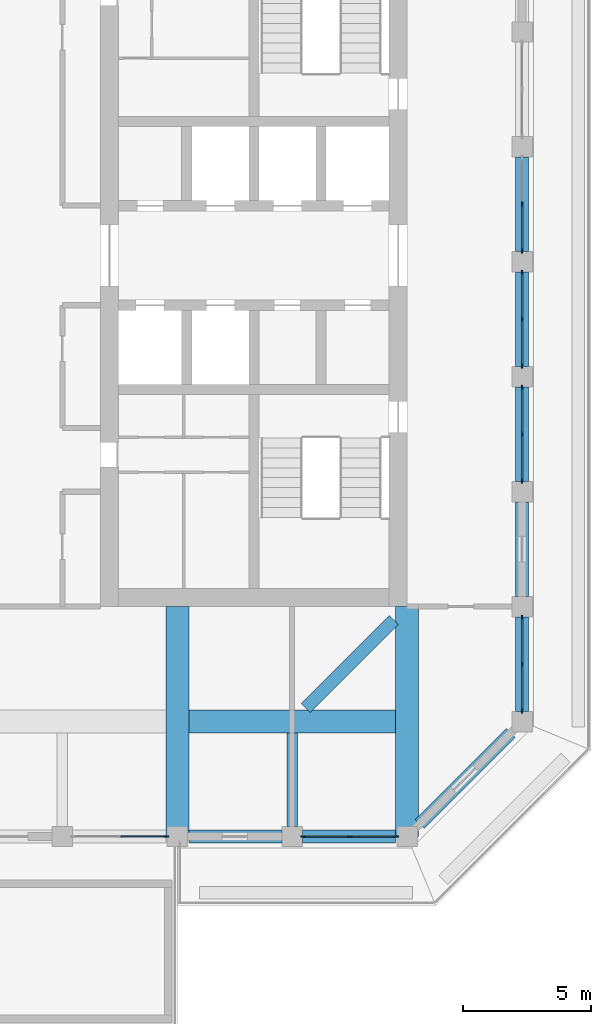
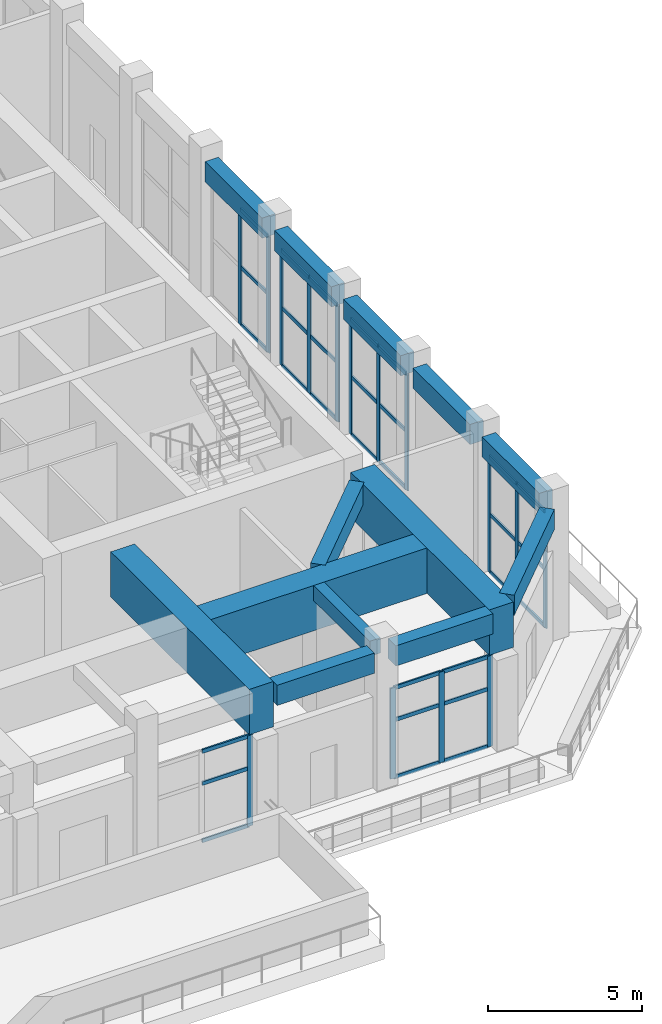
# One storey, part 4 of 20: 45 members, 13 beams, 6 elements without a shape of their own.
"""IFC4 building model written with IfcOpenShell, lengths in metres."""

from ifc_helpers import new_model, si_unit, direction, frame, origin, origin_2d, place, context, subcontext, project, spatial, rectangle, extrude, material, material_profile, profile_set, type_object, element, aggregate, save


model = new_model("IFC4")

# Units and contexts
model_context = context("Model", 3, precision=1e-05, world=origin(), true_north=direction((0.0, 1.0)))
body_context = subcontext(model_context, "Body", "Model", "MODEL_VIEW")
ifc_project = project(units=[si_unit("LENGTHUNIT", "METRE"), si_unit("AREAUNIT", "SQUARE_METRE"), si_unit("VOLUMEUNIT", "CUBIC_METRE"), si_unit("PLANEANGLEUNIT", "RADIAN"), si_unit("MASSUNIT", "GRAM", prefix="KILO")], contexts=[model_context])

# Site, building, storey
site_placement = place(None, origin())
site = spatial("IfcSite", under=ifc_project, at=site_placement, CompositionType="ELEMENT")
building_placement = place(site_placement, origin())
building = spatial("IfcBuilding", under=site, at=building_placement, Name="Corbel Stack Research Tower", CompositionType="ELEMENT")
storey_placement = place(building_placement, frame((0.0, 0.0, 295.0)))
storey = spatial("IfcBuildingStorey", under=building, at=storey_placement, Name="L67", CompositionType="ELEMENT", Elevation=295.0)

# Curtain wall, member
ifc_material_1 = material(Name="Aluminium frame, clear glass", Category="aluminium")
curtain_wall_type = type_object("IfcCurtainWallType", Name="Upper amenity floor curtain wall CW3", PredefinedType="NOTDEFINED", material=ifc_material_1)
curtain_wall_1_placement = place(storey_placement, origin())
curtain_wall_1 = element("IfcCurtainWall", 1, at=curtain_wall_1_placement, inside=storey, type_object=curtain_wall_type, Name="Curtain wall CW3 L67 S06", PredefinedType="NOTDEFINED")
ifc_material_2 = material(Name="Aluminium mullion", Category="aluminium")
ifc_material_profile_1 = material_profile(ifc_material_2, rectangle(XDim=0.06005859375, YDim=0.199951171875, at=origin_2d()), Name="Mullion 60 x 200")
ifc_profile_set_1 = profile_set([ifc_material_profile_1], Name="Aluminium mullion")
member_type_1 = type_object("IfcMemberType", Name="Curtain wall mullion 60 x 200", PredefinedType="MULLION", material=ifc_profile_set_1)
member_1_placement = place(storey_placement, frame((8.570068359375, -18.0, 0.0), z_axis=(0.0, 0.0, 1.0), x_axis=(0.0, 1.0, 0.0)))
member_1 = element("IfcMember", 2, at=member_1_placement, type_object=member_type_1, Name="CW3 mullion 3", PredefinedType="MULLION", context=body_context, shape_type="SweptSolid", body=[
    extrude(rectangle(XDim=0.06005859375, YDim=0.199951171875, at=origin_2d()), origin(), (0.0, 0.0, 1.0), 3.60009765625),
])

# Curtain wall, members
curtain_wall_2_placement = place(storey_placement, origin())
curtain_wall_2 = element("IfcCurtainWall", 3, at=curtain_wall_2_placement, inside=storey, type_object=curtain_wall_type, Name="Curtain wall CW3 L67 S08", PredefinedType="NOTDEFINED")
member_2_placement = place(storey_placement, frame((13.929931640625, -18.0, 0.0), z_axis=(0.0, 0.0, 1.0), x_axis=(0.0, 1.0, 0.0)))
member_2 = element("IfcMember", 4, at=member_2_placement, type_object=member_type_1, Name="CW3 mullion 1", PredefinedType="MULLION", context=body_context, shape_type="SweptSolid", body=[
    extrude(rectangle(XDim=0.06005859375, YDim=0.199951171875, at=origin_2d()), origin(), (0.0, 0.0, 1.0), 3.60009765625),
])
member_3_placement = place(storey_placement, frame((15.75, -18.0, 0.0), z_axis=(0.0, 0.0, 1.0), x_axis=(0.0, 1.0, 0.0)))
member_3 = element("IfcMember", 5, at=member_3_placement, type_object=member_type_1, Name="CW3 mullion 2", PredefinedType="MULLION", context=body_context, shape_type="SweptSolid", body=[
    extrude(rectangle(XDim=0.06005859375, YDim=0.199951171875, at=origin_2d()), origin(), (0.0, 0.0, 1.0), 3.60009765625),
])
member_4_placement = place(storey_placement, frame((17.570068359375, -18.0, 0.0), z_axis=(0.0, 0.0, 1.0), x_axis=(0.0, 1.0, 0.0)))
member_4 = element("IfcMember", 6, at=member_4_placement, type_object=member_type_1, Name="CW3 mullion 3", PredefinedType="MULLION", context=body_context, shape_type="SweptSolid", body=[
    extrude(rectangle(XDim=0.06005859375, YDim=0.199951171875, at=origin_2d()), origin(), (0.0, 0.0, 1.0), 3.60009765625),
])

curtain_wall_3_placement = place(storey_placement, origin())
curtain_wall_3 = element("IfcCurtainWall", 7, at=curtain_wall_3_placement, inside=storey, type_object=curtain_wall_type, Name="Curtain wall CW3 L67 E01", PredefinedType="NOTDEFINED")
member_5_placement = place(storey_placement, frame((22.5, -13.070068359375, 0.0), z_axis=(0.0, 0.0, 1.0), x_axis=(-1.0, 0.0, 0.0)))
member_5 = element("IfcMember", 8, at=member_5_placement, type_object=member_type_1, Name="CW3 mullion 1", PredefinedType="MULLION", context=body_context, shape_type="SweptSolid", body=[
    extrude(rectangle(XDim=0.06005859375, YDim=0.199951171875, at=origin_2d()), origin(), (0.0, 0.0, 1.0), 4.60009765625),
])
member_6_placement = place(storey_placement, frame((22.5, -11.25, 0.0), z_axis=(0.0, 0.0, 1.0), x_axis=(-1.0, 0.0, 0.0)))
member_6 = element("IfcMember", 9, at=member_6_placement, type_object=member_type_1, Name="CW3 mullion 2", PredefinedType="MULLION", context=body_context, shape_type="SweptSolid", body=[
    extrude(rectangle(XDim=0.06005859375, YDim=0.199951171875, at=origin_2d()), origin(), (0.0, 0.0, 1.0), 4.60009765625),
])
member_7_placement = place(storey_placement, frame((22.5, -9.429931640625, 0.0), z_axis=(0.0, 0.0, 1.0), x_axis=(-1.0, 0.0, 0.0)))
member_7 = element("IfcMember", 10, at=member_7_placement, type_object=member_type_1, Name="CW3 mullion 3", PredefinedType="MULLION", context=body_context, shape_type="SweptSolid", body=[
    extrude(rectangle(XDim=0.06005859375, YDim=0.199951171875, at=origin_2d()), origin(), (0.0, 0.0, 1.0), 4.60009765625),
])

curtain_wall_4_placement = place(storey_placement, origin())
curtain_wall_4 = element("IfcCurtainWall", 11, at=curtain_wall_4_placement, inside=storey, type_object=curtain_wall_type, Name="Curtain wall CW3 L67 E03", PredefinedType="NOTDEFINED")
member_8_placement = place(storey_placement, frame((22.5, -4.070068359375, 0.0), z_axis=(0.0, 0.0, 1.0), x_axis=(-1.0, 0.0, 0.0)))
member_8 = element("IfcMember", 12, at=member_8_placement, type_object=member_type_1, Name="CW3 mullion 1", PredefinedType="MULLION", context=body_context, shape_type="SweptSolid", body=[
    extrude(rectangle(XDim=0.06005859375, YDim=0.199951171875, at=origin_2d()), origin(), (0.0, 0.0, 1.0), 4.60009765625),
])
member_9_placement = place(storey_placement, frame((22.5, -2.25, 0.0), z_axis=(0.0, 0.0, 1.0), x_axis=(-1.0, 0.0, 0.0)))
member_9 = element("IfcMember", 13, at=member_9_placement, type_object=member_type_1, Name="CW3 mullion 2", PredefinedType="MULLION", context=body_context, shape_type="SweptSolid", body=[
    extrude(rectangle(XDim=0.06005859375, YDim=0.199951171875, at=origin_2d()), origin(), (0.0, 0.0, 1.0), 4.60009765625),
])
member_10_placement = place(storey_placement, frame((22.5, -0.429931640625, 0.0), z_axis=(0.0, 0.0, 1.0), x_axis=(-1.0, 0.0, 0.0)))
member_10 = element("IfcMember", 14, at=member_10_placement, type_object=member_type_1, Name="CW3 mullion 3", PredefinedType="MULLION", context=body_context, shape_type="SweptSolid", body=[
    extrude(rectangle(XDim=0.06005859375, YDim=0.199951171875, at=origin_2d()), origin(), (0.0, 0.0, 1.0), 4.60009765625),
])

curtain_wall_5_placement = place(storey_placement, origin())
curtain_wall_5 = element("IfcCurtainWall", 15, at=curtain_wall_5_placement, inside=storey, type_object=curtain_wall_type, Name="Curtain wall CW3 L67 E04", PredefinedType="NOTDEFINED")
member_11_placement = place(storey_placement, frame((22.5, 0.429931640625, 0.0), z_axis=(0.0, 0.0, 1.0), x_axis=(-1.0, 0.0, 0.0)))
member_11 = element("IfcMember", 16, at=member_11_placement, type_object=member_type_1, Name="CW3 mullion 1", PredefinedType="MULLION", context=body_context, shape_type="SweptSolid", body=[
    extrude(rectangle(XDim=0.06005859375, YDim=0.199951171875, at=origin_2d()), origin(), (0.0, 0.0, 1.0), 4.60009765625),
])
member_12_placement = place(storey_placement, frame((22.5, 2.25, 0.0), z_axis=(0.0, 0.0, 1.0), x_axis=(-1.0, 0.0, 0.0)))
member_12 = element("IfcMember", 17, at=member_12_placement, type_object=member_type_1, Name="CW3 mullion 2", PredefinedType="MULLION", context=body_context, shape_type="SweptSolid", body=[
    extrude(rectangle(XDim=0.06005859375, YDim=0.199951171875, at=origin_2d()), origin(), (0.0, 0.0, 1.0), 4.60009765625),
])
member_13_placement = place(storey_placement, frame((22.5, 4.070068359375, 0.0), z_axis=(0.0, 0.0, 1.0), x_axis=(-1.0, 0.0, 0.0)))
member_13 = element("IfcMember", 18, at=member_13_placement, type_object=member_type_1, Name="CW3 mullion 3", PredefinedType="MULLION", context=body_context, shape_type="SweptSolid", body=[
    extrude(rectangle(XDim=0.06005859375, YDim=0.199951171875, at=origin_2d()), origin(), (0.0, 0.0, 1.0), 4.60009765625),
])

curtain_wall_6_placement = place(storey_placement, origin())
curtain_wall_6 = element("IfcCurtainWall", 19, at=curtain_wall_6_placement, inside=storey, type_object=curtain_wall_type, Name="Curtain wall CW3 L67 E05", PredefinedType="NOTDEFINED")
member_14_placement = place(storey_placement, frame((22.5, 4.929931640625, 0.0), z_axis=(0.0, 0.0, 1.0), x_axis=(-1.0, 0.0, 0.0)))
member_14 = element("IfcMember", 20, at=member_14_placement, type_object=member_type_1, Name="CW3 mullion 1", PredefinedType="MULLION", context=body_context, shape_type="SweptSolid", body=[
    extrude(rectangle(XDim=0.06005859375, YDim=0.199951171875, at=origin_2d()), origin(), (0.0, 0.0, 1.0), 4.60009765625),
])
member_15_placement = place(storey_placement, frame((22.5, 6.75, 0.0), z_axis=(0.0, 0.0, 1.0), x_axis=(-1.0, 0.0, 0.0)))
member_15 = element("IfcMember", 21, at=member_15_placement, type_object=member_type_1, Name="CW3 mullion 2", PredefinedType="MULLION", context=body_context, shape_type="SweptSolid", body=[
    extrude(rectangle(XDim=0.06005859375, YDim=0.199951171875, at=origin_2d()), origin(), (0.0, 0.0, 1.0), 4.60009765625),
])

# Member
ifc_material_3 = material(Name="Aluminium transom", Category="aluminium")
ifc_material_profile_2 = material_profile(ifc_material_3, rectangle(XDim=0.06005859375, YDim=0.14990234375, at=origin_2d()), Name="Transom 60 x 150")
ifc_profile_set_2 = profile_set([ifc_material_profile_2], Name="Aluminium transom")
member_type_2 = type_object("IfcMemberType", Name="Curtain wall transom 60 x 150", PredefinedType="USERDEFINED", material=ifc_profile_set_2)
member_16_placement = place(storey_placement, frame((6.780029296875, -18.0, 0.030029296875), z_axis=(1.0, 0.0, 0.0), x_axis=(0.0, 1.0, 0.0)))
member_16 = element("IfcMember", 22, at=member_16_placement, type_object=member_type_2, Name="CW3 transom 2.1", ObjectType="TRANSOM", PredefinedType="USERDEFINED", context=body_context, shape_type="SweptSolid", body=[
    extrude(rectangle(XDim=0.06005859375, YDim=0.14990234375, at=origin_2d()), origin(), (0.0, 0.0, 1.0), 1.760009765625),
])

member_17_placement = place(storey_placement, frame((6.780029296875, -18.0, 2.300048828125), z_axis=(1.0, 0.0, 0.0), x_axis=(0.0, 1.0, 0.0)))
member_17 = element("IfcMember", 23, at=member_17_placement, type_object=member_type_2, Name="CW3 transom 2.2", ObjectType="TRANSOM", PredefinedType="USERDEFINED", context=body_context, shape_type="SweptSolid", body=[
    extrude(rectangle(XDim=0.06005859375, YDim=0.14990234375, at=origin_2d()), origin(), (0.0, 0.0, 1.0), 1.760009765625),
])

member_18_placement = place(storey_placement, frame((6.780029296875, -18.0, 3.570068359375), z_axis=(1.0, 0.0, 0.0), x_axis=(0.0, 1.0, 0.0)))
member_18 = element("IfcMember", 24, at=member_18_placement, type_object=member_type_2, Name="CW3 transom 2.3", ObjectType="TRANSOM", PredefinedType="USERDEFINED", context=body_context, shape_type="SweptSolid", body=[
    extrude(rectangle(XDim=0.06005859375, YDim=0.14990234375, at=origin_2d()), origin(), (0.0, 0.0, 1.0), 1.760009765625),
])

aggregate(curtain_wall_1, [member_1, member_16, member_17, member_18])

member_19_placement = place(storey_placement, frame((13.9599609375, -18.0, 0.030029296875), z_axis=(1.0, 0.0, 0.0), x_axis=(0.0, 1.0, 0.0)))
member_19 = element("IfcMember", 25, at=member_19_placement, type_object=member_type_2, Name="CW3 transom 1.1", ObjectType="TRANSOM", PredefinedType="USERDEFINED", context=body_context, shape_type="SweptSolid", body=[
    extrude(rectangle(XDim=0.06005859375, YDim=0.14990234375, at=origin_2d()), origin(), (0.0, 0.0, 1.0), 1.760009765625),
])

member_20_placement = place(storey_placement, frame((13.9599609375, -18.0, 2.300048828125), z_axis=(1.0, 0.0, 0.0), x_axis=(0.0, 1.0, 0.0)))
member_20 = element("IfcMember", 26, at=member_20_placement, type_object=member_type_2, Name="CW3 transom 1.2", ObjectType="TRANSOM", PredefinedType="USERDEFINED", context=body_context, shape_type="SweptSolid", body=[
    extrude(rectangle(XDim=0.06005859375, YDim=0.14990234375, at=origin_2d()), origin(), (0.0, 0.0, 1.0), 1.760009765625),
])

member_21_placement = place(storey_placement, frame((13.9599609375, -18.0, 3.570068359375), z_axis=(1.0, 0.0, 0.0), x_axis=(0.0, 1.0, 0.0)))
member_21 = element("IfcMember", 27, at=member_21_placement, type_object=member_type_2, Name="CW3 transom 1.3", ObjectType="TRANSOM", PredefinedType="USERDEFINED", context=body_context, shape_type="SweptSolid", body=[
    extrude(rectangle(XDim=0.06005859375, YDim=0.14990234375, at=origin_2d()), origin(), (0.0, 0.0, 1.0), 1.760009765625),
])

member_22_placement = place(storey_placement, frame((15.780029296875, -18.0, 0.030029296875), z_axis=(1.0, 0.0, 0.0), x_axis=(0.0, 1.0, 0.0)))
member_22 = element("IfcMember", 28, at=member_22_placement, type_object=member_type_2, Name="CW3 transom 2.1", ObjectType="TRANSOM", PredefinedType="USERDEFINED", context=body_context, shape_type="SweptSolid", body=[
    extrude(rectangle(XDim=0.06005859375, YDim=0.14990234375, at=origin_2d()), origin(), (0.0, 0.0, 1.0), 1.760009765625),
])

member_23_placement = place(storey_placement, frame((15.780029296875, -18.0, 2.300048828125), z_axis=(1.0, 0.0, 0.0), x_axis=(0.0, 1.0, 0.0)))
member_23 = element("IfcMember", 29, at=member_23_placement, type_object=member_type_2, Name="CW3 transom 2.2", ObjectType="TRANSOM", PredefinedType="USERDEFINED", context=body_context, shape_type="SweptSolid", body=[
    extrude(rectangle(XDim=0.06005859375, YDim=0.14990234375, at=origin_2d()), origin(), (0.0, 0.0, 1.0), 1.760009765625),
])

member_24_placement = place(storey_placement, frame((15.780029296875, -18.0, 3.570068359375), z_axis=(1.0, 0.0, 0.0), x_axis=(0.0, 1.0, 0.0)))
member_24 = element("IfcMember", 30, at=member_24_placement, type_object=member_type_2, Name="CW3 transom 2.3", ObjectType="TRANSOM", PredefinedType="USERDEFINED", context=body_context, shape_type="SweptSolid", body=[
    extrude(rectangle(XDim=0.06005859375, YDim=0.14990234375, at=origin_2d()), origin(), (0.0, 0.0, 1.0), 1.760009765625),
])

aggregate(curtain_wall_2, [member_2, member_3, member_4, member_19, member_20, member_21, member_22, member_23, member_24])

member_25_placement = place(storey_placement, frame((22.5, -13.0400390625, 0.030029296875), z_axis=(0.0, 1.0, 0.0), x_axis=(-1.0, 0.0, 0.0)))
member_25 = element("IfcMember", 31, at=member_25_placement, type_object=member_type_2, Name="CW3 transom 1.1", ObjectType="TRANSOM", PredefinedType="USERDEFINED", context=body_context, shape_type="SweptSolid", body=[
    extrude(rectangle(XDim=0.06005859375, YDim=0.14990234375, at=origin_2d()), origin(), (0.0, 0.0, 1.0), 1.760009765625),
])

member_26_placement = place(storey_placement, frame((22.5, -13.0400390625, 2.300048828125), z_axis=(0.0, 1.0, 0.0), x_axis=(-1.0, 0.0, 0.0)))
member_26 = element("IfcMember", 32, at=member_26_placement, type_object=member_type_2, Name="CW3 transom 1.2", ObjectType="TRANSOM", PredefinedType="USERDEFINED", context=body_context, shape_type="SweptSolid", body=[
    extrude(rectangle(XDim=0.06005859375, YDim=0.14990234375, at=origin_2d()), origin(), (0.0, 0.0, 1.0), 1.760009765625),
])

member_27_placement = place(storey_placement, frame((22.5, -13.0400390625, 4.570068359375), z_axis=(0.0, 1.0, 0.0), x_axis=(-1.0, 0.0, 0.0)))
member_27 = element("IfcMember", 33, at=member_27_placement, type_object=member_type_2, Name="CW3 transom 1.3", ObjectType="TRANSOM", PredefinedType="USERDEFINED", context=body_context, shape_type="SweptSolid", body=[
    extrude(rectangle(XDim=0.06005859375, YDim=0.14990234375, at=origin_2d()), origin(), (0.0, 0.0, 1.0), 1.760009765625),
])

member_28_placement = place(storey_placement, frame((22.5, -11.219970703125, 0.030029296875), z_axis=(0.0, 1.0, 0.0), x_axis=(-1.0, 0.0, 0.0)))
member_28 = element("IfcMember", 34, at=member_28_placement, type_object=member_type_2, Name="CW3 transom 2.1", ObjectType="TRANSOM", PredefinedType="USERDEFINED", context=body_context, shape_type="SweptSolid", body=[
    extrude(rectangle(XDim=0.06005859375, YDim=0.14990234375, at=origin_2d()), origin(), (0.0, 0.0, 1.0), 1.760009765625),
])

member_29_placement = place(storey_placement, frame((22.5, -11.219970703125, 2.300048828125), z_axis=(0.0, 1.0, 0.0), x_axis=(-1.0, 0.0, 0.0)))
member_29 = element("IfcMember", 35, at=member_29_placement, type_object=member_type_2, Name="CW3 transom 2.2", ObjectType="TRANSOM", PredefinedType="USERDEFINED", context=body_context, shape_type="SweptSolid", body=[
    extrude(rectangle(XDim=0.06005859375, YDim=0.14990234375, at=origin_2d()), origin(), (0.0, 0.0, 1.0), 1.760009765625),
])

member_30_placement = place(storey_placement, frame((22.5, -11.219970703125, 4.570068359375), z_axis=(0.0, 1.0, 0.0), x_axis=(-1.0, 0.0, 0.0)))
member_30 = element("IfcMember", 36, at=member_30_placement, type_object=member_type_2, Name="CW3 transom 2.3", ObjectType="TRANSOM", PredefinedType="USERDEFINED", context=body_context, shape_type="SweptSolid", body=[
    extrude(rectangle(XDim=0.06005859375, YDim=0.14990234375, at=origin_2d()), origin(), (0.0, 0.0, 1.0), 1.760009765625),
])

aggregate(curtain_wall_3, [member_5, member_6, member_7, member_25, member_26, member_27, member_28, member_29, member_30])

member_31_placement = place(storey_placement, frame((22.5, -4.0400390625, 0.030029296875), z_axis=(0.0, 1.0, 0.0), x_axis=(-1.0, 0.0, 0.0)))
member_31 = element("IfcMember", 37, at=member_31_placement, type_object=member_type_2, Name="CW3 transom 1.1", ObjectType="TRANSOM", PredefinedType="USERDEFINED", context=body_context, shape_type="SweptSolid", body=[
    extrude(rectangle(XDim=0.06005859375, YDim=0.14990234375, at=origin_2d()), origin(), (0.0, 0.0, 1.0), 1.760009765625),
])

member_32_placement = place(storey_placement, frame((22.5, -4.0400390625, 2.300048828125), z_axis=(0.0, 1.0, 0.0), x_axis=(-1.0, 0.0, 0.0)))
member_32 = element("IfcMember", 38, at=member_32_placement, type_object=member_type_2, Name="CW3 transom 1.2", ObjectType="TRANSOM", PredefinedType="USERDEFINED", context=body_context, shape_type="SweptSolid", body=[
    extrude(rectangle(XDim=0.06005859375, YDim=0.14990234375, at=origin_2d()), origin(), (0.0, 0.0, 1.0), 1.760009765625),
])

member_33_placement = place(storey_placement, frame((22.5, -4.0400390625, 4.570068359375), z_axis=(0.0, 1.0, 0.0), x_axis=(-1.0, 0.0, 0.0)))
member_33 = element("IfcMember", 39, at=member_33_placement, type_object=member_type_2, Name="CW3 transom 1.3", ObjectType="TRANSOM", PredefinedType="USERDEFINED", context=body_context, shape_type="SweptSolid", body=[
    extrude(rectangle(XDim=0.06005859375, YDim=0.14990234375, at=origin_2d()), origin(), (0.0, 0.0, 1.0), 1.760009765625),
])

member_34_placement = place(storey_placement, frame((22.5, -2.219970703125, 0.030029296875), z_axis=(0.0, 1.0, 0.0), x_axis=(-1.0, 0.0, 0.0)))
member_34 = element("IfcMember", 40, at=member_34_placement, type_object=member_type_2, Name="CW3 transom 2.1", ObjectType="TRANSOM", PredefinedType="USERDEFINED", context=body_context, shape_type="SweptSolid", body=[
    extrude(rectangle(XDim=0.06005859375, YDim=0.14990234375, at=origin_2d()), origin(), (0.0, 0.0, 1.0), 1.760009765625),
])

member_35_placement = place(storey_placement, frame((22.5, -2.219970703125, 2.300048828125), z_axis=(0.0, 1.0, 0.0), x_axis=(-1.0, 0.0, 0.0)))
member_35 = element("IfcMember", 41, at=member_35_placement, type_object=member_type_2, Name="CW3 transom 2.2", ObjectType="TRANSOM", PredefinedType="USERDEFINED", context=body_context, shape_type="SweptSolid", body=[
    extrude(rectangle(XDim=0.06005859375, YDim=0.14990234375, at=origin_2d()), origin(), (0.0, 0.0, 1.0), 1.760009765625),
])

member_36_placement = place(storey_placement, frame((22.5, -2.219970703125, 4.570068359375), z_axis=(0.0, 1.0, 0.0), x_axis=(-1.0, 0.0, 0.0)))
member_36 = element("IfcMember", 42, at=member_36_placement, type_object=member_type_2, Name="CW3 transom 2.3", ObjectType="TRANSOM", PredefinedType="USERDEFINED", context=body_context, shape_type="SweptSolid", body=[
    extrude(rectangle(XDim=0.06005859375, YDim=0.14990234375, at=origin_2d()), origin(), (0.0, 0.0, 1.0), 1.760009765625),
])

aggregate(curtain_wall_4, [member_8, member_9, member_10, member_31, member_32, member_33, member_34, member_35, member_36])

member_37_placement = place(storey_placement, frame((22.5, 0.4599609375, 0.030029296875), z_axis=(0.0, 1.0, 0.0), x_axis=(-1.0, 0.0, 0.0)))
member_37 = element("IfcMember", 43, at=member_37_placement, type_object=member_type_2, Name="CW3 transom 1.1", ObjectType="TRANSOM", PredefinedType="USERDEFINED", context=body_context, shape_type="SweptSolid", body=[
    extrude(rectangle(XDim=0.06005859375, YDim=0.14990234375, at=origin_2d()), origin(), (0.0, 0.0, 1.0), 1.760009765625),
])

member_38_placement = place(storey_placement, frame((22.5, 0.4599609375, 2.300048828125), z_axis=(0.0, 1.0, 0.0), x_axis=(-1.0, 0.0, 0.0)))
member_38 = element("IfcMember", 44, at=member_38_placement, type_object=member_type_2, Name="CW3 transom 1.2", ObjectType="TRANSOM", PredefinedType="USERDEFINED", context=body_context, shape_type="SweptSolid", body=[
    extrude(rectangle(XDim=0.06005859375, YDim=0.14990234375, at=origin_2d()), origin(), (0.0, 0.0, 1.0), 1.760009765625),
])

member_39_placement = place(storey_placement, frame((22.5, 0.4599609375, 4.570068359375), z_axis=(0.0, 1.0, 0.0), x_axis=(-1.0, 0.0, 0.0)))
member_39 = element("IfcMember", 45, at=member_39_placement, type_object=member_type_2, Name="CW3 transom 1.3", ObjectType="TRANSOM", PredefinedType="USERDEFINED", context=body_context, shape_type="SweptSolid", body=[
    extrude(rectangle(XDim=0.06005859375, YDim=0.14990234375, at=origin_2d()), origin(), (0.0, 0.0, 1.0), 1.760009765625),
])

member_40_placement = place(storey_placement, frame((22.5, 2.280029296875, 0.030029296875), z_axis=(0.0, 1.0, 0.0), x_axis=(-1.0, 0.0, 0.0)))
member_40 = element("IfcMember", 46, at=member_40_placement, type_object=member_type_2, Name="CW3 transom 2.1", ObjectType="TRANSOM", PredefinedType="USERDEFINED", context=body_context, shape_type="SweptSolid", body=[
    extrude(rectangle(XDim=0.06005859375, YDim=0.14990234375, at=origin_2d()), origin(), (0.0, 0.0, 1.0), 1.760009765625),
])

member_41_placement = place(storey_placement, frame((22.5, 2.280029296875, 2.300048828125), z_axis=(0.0, 1.0, 0.0), x_axis=(-1.0, 0.0, 0.0)))
member_41 = element("IfcMember", 47, at=member_41_placement, type_object=member_type_2, Name="CW3 transom 2.2", ObjectType="TRANSOM", PredefinedType="USERDEFINED", context=body_context, shape_type="SweptSolid", body=[
    extrude(rectangle(XDim=0.06005859375, YDim=0.14990234375, at=origin_2d()), origin(), (0.0, 0.0, 1.0), 1.760009765625),
])

member_42_placement = place(storey_placement, frame((22.5, 2.280029296875, 4.570068359375), z_axis=(0.0, 1.0, 0.0), x_axis=(-1.0, 0.0, 0.0)))
member_42 = element("IfcMember", 48, at=member_42_placement, type_object=member_type_2, Name="CW3 transom 2.3", ObjectType="TRANSOM", PredefinedType="USERDEFINED", context=body_context, shape_type="SweptSolid", body=[
    extrude(rectangle(XDim=0.06005859375, YDim=0.14990234375, at=origin_2d()), origin(), (0.0, 0.0, 1.0), 1.760009765625),
])

aggregate(curtain_wall_5, [member_11, member_12, member_13, member_37, member_38, member_39, member_40, member_41, member_42])

member_43_placement = place(storey_placement, frame((22.5, 4.9599609375, 0.030029296875), z_axis=(0.0, 1.0, 0.0), x_axis=(-1.0, 0.0, 0.0)))
member_43 = element("IfcMember", 49, at=member_43_placement, type_object=member_type_2, Name="CW3 transom 1.1", ObjectType="TRANSOM", PredefinedType="USERDEFINED", context=body_context, shape_type="SweptSolid", body=[
    extrude(rectangle(XDim=0.06005859375, YDim=0.14990234375, at=origin_2d()), origin(), (0.0, 0.0, 1.0), 1.760009765625),
])

member_44_placement = place(storey_placement, frame((22.5, 4.9599609375, 2.300048828125), z_axis=(0.0, 1.0, 0.0), x_axis=(-1.0, 0.0, 0.0)))
member_44 = element("IfcMember", 50, at=member_44_placement, type_object=member_type_2, Name="CW3 transom 1.2", ObjectType="TRANSOM", PredefinedType="USERDEFINED", context=body_context, shape_type="SweptSolid", body=[
    extrude(rectangle(XDim=0.06005859375, YDim=0.14990234375, at=origin_2d()), origin(), (0.0, 0.0, 1.0), 1.760009765625),
])

member_45_placement = place(storey_placement, frame((22.5, 4.9599609375, 4.570068359375), z_axis=(0.0, 1.0, 0.0), x_axis=(-1.0, 0.0, 0.0)))
member_45 = element("IfcMember", 51, at=member_45_placement, type_object=member_type_2, Name="CW3 transom 1.3", ObjectType="TRANSOM", PredefinedType="USERDEFINED", context=body_context, shape_type="SweptSolid", body=[
    extrude(rectangle(XDim=0.06005859375, YDim=0.14990234375, at=origin_2d()), origin(), (0.0, 0.0, 1.0), 1.760009765625),
])

aggregate(curtain_wall_6, [member_14, member_15, member_43, member_44, member_45])

# Beams
ifc_material_4 = material(Name="Concrete C60/75", Category="concrete")
ifc_material_profile_3 = material_profile(ifc_material_4, rectangle(XDim=0.5, YDim=0.800048828125, at=origin_2d()), Name="RC 500 x 800")
ifc_profile_set_3 = profile_set([ifc_material_profile_3], Name="Concrete C60/75")
beam_type_1 = type_object("IfcBeamType", Name="SB-500-800-600", PredefinedType="SPANDREL", material=ifc_profile_set_3)
for number, where, z_axis, x_axis, name in (
    (52, (9.449951171875, -18.0, 5.0), (1.0, 0.0, 0.0), (0.0, 1.0, 0.0), "Spandrel beam L67-07"),
    (53, (13.89990234375, -18.0, 5.0), (1.0, 0.0, 0.0), (0.0, 1.0, 0.0), "Spandrel beam L67-08"),
):
    element("IfcBeam", number, at=place(storey_placement, frame(where, z_axis=z_axis, x_axis=x_axis)), inside=storey, type_object=beam_type_1, Name=name, PredefinedType="SPANDREL", context=body_context, shape_type="SweptSolid", body=[
        extrude(rectangle(XDim=0.5, YDim=0.800048828125, at=origin_2d()), origin(), (0.0, 0.0, 1.0), 3.650146484375),
    ])
beam_1_placement = place(storey_placement, frame((18.492431640625, -17.507568359375, 5.0), z_axis=(0.707106781187, 0.707106781187, 0.0), x_axis=(-0.707106781187, 0.707106781187, 0.0)))
element("IfcBeam", 54, at=beam_1_placement, inside=storey, type_object=beam_type_1, Name="Spandrel beam L67-09", PredefinedType="SPANDREL", context=body_context, shape_type="SweptSolid", body=[
    extrude(rectangle(XDim=0.5, YDim=0.800048828125, at=origin_2d()), origin(), (0.0, 0.0, 1.0), 5.0419921875),
])
for number, where, z_axis, x_axis, name in (
    (55, (22.5, -13.10009765625, 5.0), (0.0, 1.0, 0.0), (-1.0, 0.0, 0.0), "Spandrel beam L67-10"),
    (56, (22.5, -8.60009765625, 5.0), (0.0, 1.0, 0.0), (-1.0, 0.0, 0.0), "Spandrel beam L67-11"),
    (57, (22.5, -4.10009765625, 5.0), (0.0, 1.0, 0.0), (-1.0, 0.0, 0.0), "Spandrel beam L67-12"),
    (58, (22.5, 0.39990234375, 5.0), (0.0, 1.0, 0.0), (-1.0, 0.0, 0.0), "Spandrel beam L67-13"),
    (59, (22.5, 4.89990234375, 5.0), (0.0, 1.0, 0.0), (-1.0, 0.0, 0.0), "Spandrel beam L67-14"),
):
    element("IfcBeam", number, at=place(storey_placement, frame(where, z_axis=z_axis, x_axis=x_axis)), inside=storey, type_object=beam_type_1, Name=name, PredefinedType="SPANDREL", context=body_context, shape_type="SweptSolid", body=[
        extrude(rectangle(XDim=0.5, YDim=0.800048828125, at=origin_2d()), origin(), (0.0, 0.0, 1.0), 3.7001953125),
    ])
beam_2_placement = place(storey_placement, frame((14.02783203125, -12.97216796875, 5.0), z_axis=(0.707106781187, 0.707106781187, 0.0), x_axis=(-0.707106781187, 0.707106781187, 0.0)))
element("IfcBeam", 60, at=beam_2_placement, inside=storey, type_object=beam_type_1, Name="Spandrel beam L67-37", PredefinedType="SPANDREL", context=body_context, shape_type="SweptSolid", body=[
    extrude(rectangle(XDim=0.5, YDim=0.800048828125, at=origin_2d()), origin(), (0.0, 0.0, 1.0), 4.87109375),
])
ifc_material_5 = material(Name="Concrete C60/75", Category="concrete")
ifc_material_profile_4 = material_profile(ifc_material_5, rectangle(XDim=0.39990234375, YDim=0.60009765625, at=origin_2d()), Name="RC 400 x 600")
ifc_profile_set_4 = profile_set([ifc_material_profile_4], Name="Concrete C60/75")
beam_type_2 = type_object("IfcBeamType", Name="TG-400-600", PredefinedType="BEAM", material=ifc_profile_set_4)
beam_3_placement = place(storey_placement, frame((13.5, -13.949951171875, 5.10009765625), z_axis=(0.0, -1.0, 0.0), x_axis=(1.0, 0.0, 0.0)))
element("IfcBeam", 61, at=beam_3_placement, inside=storey, type_object=beam_type_2, Name="Transfer tie beam L67 t11E", PredefinedType="BEAM", context=body_context, shape_type="SweptSolid", body=[
    extrude(rectangle(XDim=0.39990234375, YDim=0.60009765625, at=origin_2d()), origin(), (0.0, 0.0, 1.0), 3.650146484375),
])
ifc_material_6 = material(Name="Concrete C60/75", Category="concrete")
ifc_material_profile_5 = material_profile(ifc_material_6, rectangle(XDim=0.89990234375, YDim=1.800048828125, at=origin_2d()), Name="RC 900 x 1800")
ifc_profile_set_5 = profile_set([ifc_material_profile_5], Name="Concrete C60/75")
beam_type_3 = type_object("IfcBeamType", Name="TG-900-1800", PredefinedType="BEAM", material=ifc_profile_set_5)
for number, where, z_axis, x_axis, name in (
    (62, (9.0, -18.0, 4.5), (0.0, 1.0, 0.0), (-1.0, 0.0, 0.0), "Transfer cross girder L67 Sx9"),
    (63, (18.0, -18.0, 4.5), (0.0, 1.0, 0.0), (-1.0, 0.0, 0.0), "Transfer cross girder L67 Sx18"),
):
    element("IfcBeam", number, at=place(storey_placement, frame(where, z_axis=z_axis, x_axis=x_axis)), inside=storey, type_object=beam_type_3, Name=name, PredefinedType="BEAM", context=body_context, shape_type="SweptSolid", body=[
        extrude(rectangle(XDim=0.89990234375, YDim=1.800048828125, at=origin_2d()), origin(), (0.0, 0.0, 1.0), 9.0),
    ])
beam_4_placement = place(storey_placement, frame((9.449951171875, -13.5, 4.5), z_axis=(1.0, 0.0, 0.0), x_axis=(0.0, 1.0, 0.0)))
element("IfcBeam", 64, at=beam_4_placement, inside=storey, type_object=beam_type_3, Name="Transfer girder along the step L67 Sl9", PredefinedType="BEAM", context=body_context, shape_type="SweptSolid", body=[
    extrude(rectangle(XDim=0.89990234375, YDim=1.800048828125, at=origin_2d()), origin(), (0.0, 0.0, 1.0), 8.10009765625),
])

save(model, "model.ifc")
